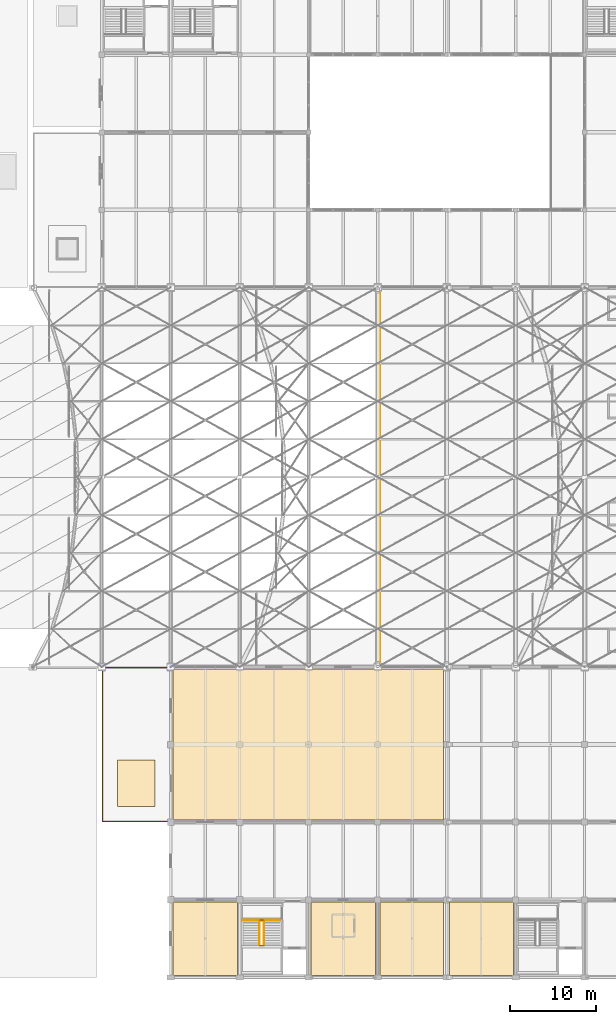
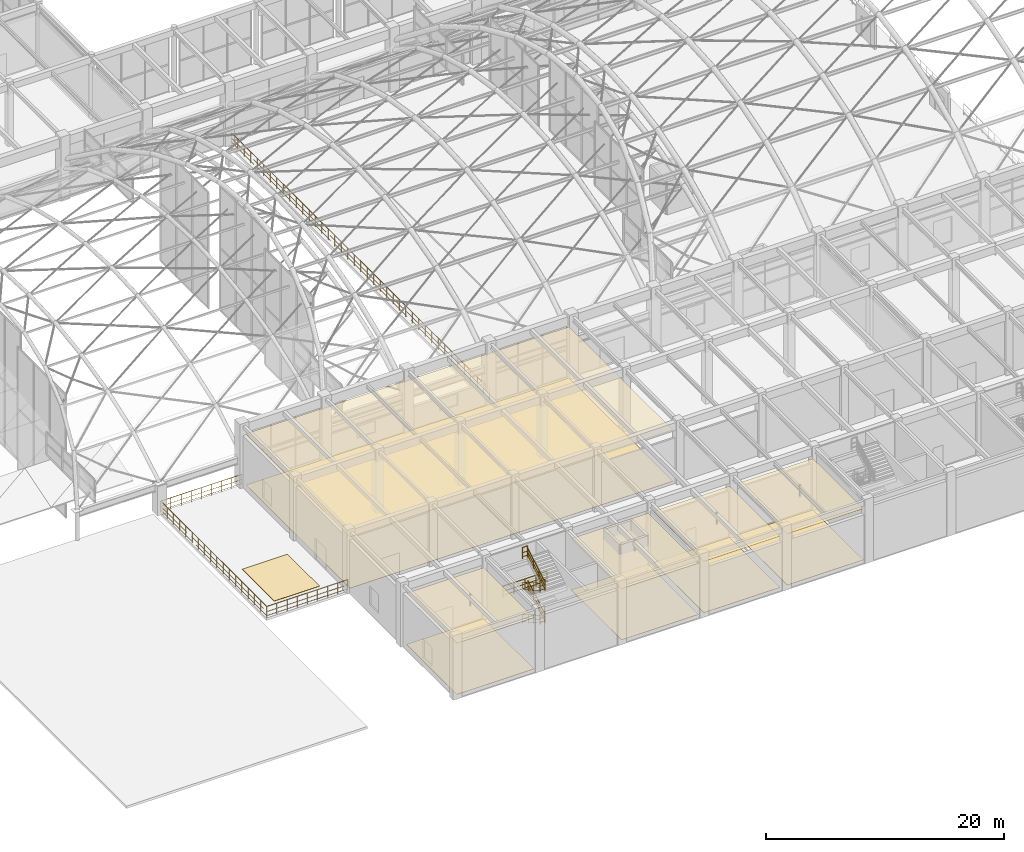
# One storey, part 156 of 163: 11 coverings, 10 railings.
"""IFC4 building model written with IfcOpenShell, lengths in metres."""

from ifc_helpers import new_model, si_unit, direction, frame, origin, origin_2d, place, context, subcontext, project, spatial, polyline, circle, outline, extrude, material, layer, layer_set, type_object, element, save


model = new_model("IFC4")

# Units and contexts
model_context = context("Model", 3, precision=1e-05, world=origin(), true_north=direction((0.0, 1.0)))
body_context = subcontext(model_context, "Body", "Model", "MODEL_VIEW")
ifc_project = project(units=[si_unit("LENGTHUNIT", "METRE"), si_unit("AREAUNIT", "SQUARE_METRE"), si_unit("VOLUMEUNIT", "CUBIC_METRE"), si_unit("PLANEANGLEUNIT", "RADIAN"), si_unit("MASSUNIT", "GRAM", prefix="KILO")], contexts=[model_context])

# Site, building, storey
site_placement = place(None, origin())
site = spatial("IfcSite", under=ifc_project, at=site_placement, CompositionType="ELEMENT")
building_placement = place(site_placement, origin())
building = spatial("IfcBuilding", under=site, at=building_placement, Name="Varnabhumi Central Station", CompositionType="ELEMENT")
storey_placement = place(building_placement, frame((0.0, 0.0, 9.60009765625)))
storey = spatial("IfcBuildingStorey", under=building, at=storey_placement, Name="L02", CompositionType="ELEMENT", Elevation=9.60009765625)

# Coverings
ifc_material_1 = material(Name="Mineral-fibre acoustic tile")
ifc_layer_1 = layer(ifc_material_1, 0.02490234375, Name="Mineral-fibre acoustic tile")
ifc_layer_set_1 = layer_set([ifc_layer_1], Name="Mineral-fibre acoustic tile")
covering_type_1 = type_object("IfcCoveringType", Name="COV-CEIL-ACOUSTIC", PredefinedType="CEILING", material=ifc_layer_set_1)
covering_1_placement = place(storey_placement, frame((0.0, 0.0, 5.27001953125)))
element("IfcCovering", 1, at=covering_1_placement, inside=storey, type_object=covering_type_1, Name="South General Waiting Hall Acoustic Ceiling", PredefinedType="CEILING", context=body_context, shape_type="SweptSolid", body=[
    extrude(outline(polyline([(32.25, 18.25), (63.64990234375, 18.25), (63.64990234375, 35.75), (32.25, 35.75), (32.25, 18.25)])), origin(), (0.0, 0.0, 1.0), 0.02490234375),
])
covering_2_placement = place(storey_placement, frame((0.0, 0.0, 5.27001953125)))
element("IfcCovering", 2, at=covering_2_placement, inside=storey, type_object=covering_type_1, Name="Intercity Express Waiting Lounge Acoustic Ceiling", PredefinedType="CEILING", context=body_context, shape_type="SweptSolid", body=[
    extrude(outline(polyline([(32.25, 0.25), (39.75, 0.25), (39.75, 8.75), (32.25, 8.75), (32.25, 0.25)])), origin(), (0.0, 0.0, 1.0), 0.02490234375),
])
covering_3_placement = place(storey_placement, frame((0.0, 0.0, 5.27001953125)))
element("IfcCovering", 3, at=covering_3_placement, inside=storey, type_object=covering_type_1, Name="Passenger Assistance Control Office Acoustic Ceiling", PredefinedType="CEILING", context=body_context, shape_type="SweptSolid", body=[
    extrude(outline(polyline([(48.25, 0.25), (55.75, 0.25), (55.75, 8.75), (48.25, 8.75), (48.25, 0.25)])), origin(), (0.0, 0.0, 1.0), 0.02490234375),
])
covering_4_placement = place(storey_placement, frame((0.0, 0.0, 5.27001953125)))
element("IfcCovering", 4, at=covering_4_placement, inside=storey, type_object=covering_type_1, Name="Rail Reservation Counter Office Acoustic Ceiling", PredefinedType="CEILING", context=body_context, shape_type="SweptSolid", body=[
    extrude(outline(polyline([(56.25, 0.25), (63.64990234375, 0.25), (63.64990234375, 8.75), (56.25, 8.75), (56.25, 0.25)])), origin(), (0.0, 0.0, 1.0), 0.02490234375),
])
covering_5_placement = place(storey_placement, frame((0.0, 0.0, 5.27001953125)))
element("IfcCovering", 5, at=covering_5_placement, inside=storey, type_object=covering_type_1, Name="Rail Reservation Counter Office Acoustic Ceiling", PredefinedType="CEILING", context=body_context, shape_type="SweptSolid", body=[
    extrude(outline(polyline([(64.35009765625, 0.25), (71.75, 0.25), (71.75, 8.75), (64.35009765625, 8.75), (64.35009765625, 0.25)])), origin(), (0.0, 0.0, 1.0), 0.02490234375),
])
ifc_material_2 = material(Name="Vitrified granite stone flooring", Category="masonry")
ifc_layer_2 = layer(ifc_material_2, 0.030029296875, Name="Vitrified granite stone flooring", Category="masonry")
ifc_layer_set_2 = layer_set([ifc_layer_2], Name="Vitrified granite stone flooring")
covering_type_2 = type_object("IfcCoveringType", Name="COV-FLOR-GRANITE", PredefinedType="FLOORING", material=ifc_layer_set_2)
covering_6_placement = place(storey_placement, origin())
element("IfcCovering", 6, at=covering_6_placement, inside=storey, type_object=covering_type_2, Name="South General Waiting Hall Granite Flooring", PredefinedType="FLOORING", context=body_context, shape_type="SweptSolid", body=[
    extrude(outline(polyline([(32.25, 18.25), (63.64990234375, 18.25), (63.64990234375, 35.75), (32.25, 35.75), (32.25, 18.25)])), origin(), (0.0, 0.0, 1.0), 0.02978515625),
])
covering_7_placement = place(storey_placement, origin())
element("IfcCovering", 7, at=covering_7_placement, inside=storey, type_object=covering_type_2, Name="Intercity Express Waiting Lounge Granite Flooring", PredefinedType="FLOORING", context=body_context, shape_type="SweptSolid", body=[
    extrude(outline(polyline([(32.25, 0.25), (39.75, 0.25), (39.75, 8.75), (32.25, 8.75), (32.25, 0.25)])), origin(), (0.0, 0.0, 1.0), 0.02978515625),
])
covering_8_placement = place(storey_placement, origin())
element("IfcCovering", 8, at=covering_8_placement, inside=storey, type_object=covering_type_2, Name="Passenger Assistance Control Office Granite Flooring", PredefinedType="FLOORING", context=body_context, shape_type="SweptSolid", body=[
    extrude(outline(polyline([(48.25, 0.25), (55.75, 0.25), (55.75, 8.75), (48.25, 8.75), (48.25, 0.25)])), origin(), (0.0, 0.0, 1.0), 0.02978515625),
])
covering_9_placement = place(storey_placement, origin())
element("IfcCovering", 9, at=covering_9_placement, inside=storey, type_object=covering_type_2, Name="Rail Reservation Counter Office Granite Flooring", PredefinedType="FLOORING", context=body_context, shape_type="SweptSolid", body=[
    extrude(outline(polyline([(56.25, 0.25), (63.64990234375, 0.25), (63.64990234375, 8.75), (56.25, 8.75), (56.25, 0.25)])), origin(), (0.0, 0.0, 1.0), 0.02978515625),
])
covering_10_placement = place(storey_placement, origin())
element("IfcCovering", 10, at=covering_10_placement, inside=storey, type_object=covering_type_2, Name="Rail Reservation Counter Office Granite Flooring", PredefinedType="FLOORING", context=body_context, shape_type="SweptSolid", body=[
    extrude(outline(polyline([(64.35009765625, 0.25), (71.75, 0.25), (71.75, 8.75), (64.35009765625, 8.75), (64.35009765625, 0.25)])), origin(), (0.0, 0.0, 1.0), 0.02978515625),
])
ifc_material_3 = material(Name="Modified bitumen waterproofing membrane")
ifc_layer_3 = layer(ifc_material_3, 0.034912109375, Name="Modified bitumen waterproofing membrane")
ifc_layer_set_3 = layer_set([ifc_layer_3], Name="Modified bitumen waterproofing membrane")
covering_type_3 = type_object("IfcCoveringType", Name="COV-ROOF-MEMBRANE", PredefinedType="ROOFING", material=ifc_layer_set_3)
covering_11_placement = place(storey_placement, origin())
element("IfcCovering", 11, at=covering_11_placement, inside=storey, type_object=covering_type_3, Name="Azotea Waterproofing Paver Layer 3", PredefinedType="ROOFING", context=body_context, shape_type="SweptSolid", body=[
    extrude(outline(polyline([(25.800048828125, 19.800048828125), (30.199951171875, 19.800048828125), (30.199951171875, 25.199951171875), (25.800048828125, 25.199951171875), (25.800048828125, 19.800048828125)])), origin(), (0.0, 0.0, 1.0), 0.034912109375),
])

# Railings
ifc_material_4 = material(Name="Stainless steel Grade 316", Category="steel")
railing_type_1 = type_object("IfcRailingType", Name="RAIL-BALUST-1150", PredefinedType="BALUSTRADE", material=ifc_material_4)
railing_1_placement = place(storey_placement, frame((31.949951171875, 35.919921875, 0.0)))
element("IfcRailing", 12, at=railing_1_placement, inside=storey, type_object=railing_type_1, Name="Azotea Perimeter Balustrade L02-3", PredefinedType="BALUSTRADE", context=body_context, shape_type="SweptSolid", body=[
    extrude(circle(Radius=0.02392578125, at=origin_2d()), frame((0.0, 0.0, 1.1259765625), z_axis=(-1.0, 0.0, 0.0), x_axis=(0.0, -1.0, 0.0)), (0.0, 0.0, 1.0), 7.869873046875),
    extrude(circle(Radius=0.01416015625, at=origin_2d()), frame((0.0, 0.0, 0.597900390625), z_axis=(-1.0, 0.0, 0.0), x_axis=(0.0, -1.0, 0.0)), (0.0, 0.0, 1.0), 7.869873046875),
    extrude(circle(Radius=0.01416015625, at=origin_2d()), frame((0.0, 0.0, 0.18408203125), z_axis=(-1.0, 0.0, 0.0), x_axis=(0.0, -1.0, 0.0)), (0.0, 0.0, 1.0), 7.869873046875),
    extrude(circle(Radius=0.02392578125, at=origin_2d()), frame((-7.869873046875, 0.0, 1.1259765625), z_axis=(0.0, -1.0, 0.0), x_axis=(1.0, 0.0, 0.0)), (0.0, 0.0, 1.0), 17.83984375),
    extrude(circle(Radius=0.01416015625, at=origin_2d()), frame((-7.869873046875, 0.0, 0.597900390625), z_axis=(0.0, -1.0, 0.0), x_axis=(1.0, 0.0, 0.0)), (0.0, 0.0, 1.0), 17.83984375),
    extrude(circle(Radius=0.01416015625, at=origin_2d()), frame((-7.869873046875, 0.0, 0.18408203125), z_axis=(0.0, -1.0, 0.0), x_axis=(1.0, 0.0, 0.0)), (0.0, 0.0, 1.0), 17.83984375),
    extrude(circle(Radius=0.02392578125, at=origin_2d()), frame((-7.869873046875, -17.83984375, 1.1259765625), z_axis=(1.0, 0.0, 0.0), x_axis=(0.0, 1.0, 0.0)), (0.0, 0.0, 1.0), 7.869873046875),
    extrude(circle(Radius=0.01416015625, at=origin_2d()), frame((-7.869873046875, -17.83984375, 0.597900390625), z_axis=(1.0, 0.0, 0.0), x_axis=(0.0, 1.0, 0.0)), (0.0, 0.0, 1.0), 7.869873046875),
    extrude(circle(Radius=0.01416015625, at=origin_2d()), frame((-7.869873046875, -17.83984375, 0.18408203125), z_axis=(1.0, 0.0, 0.0), x_axis=(0.0, 1.0, 0.0)), (0.0, 0.0, 1.0), 7.869873046875),
    extrude(circle(Radius=0.02099609375, at=origin_2d()), origin(), (0.0, 0.0, 1.0), 1.101806640625),
    extrude(circle(Radius=0.02099609375, at=origin_2d()), frame((-0.983642578125, 0.0, 0.0)), (0.0, 0.0, 1.0), 1.101806640625),
    extrude(circle(Radius=0.02099609375, at=origin_2d()), frame((-1.967529296875, 0.0, 0.0)), (0.0, 0.0, 1.0), 1.101806640625),
    extrude(circle(Radius=0.02099609375, at=origin_2d()), frame((-2.951171875, 0.0, 0.0)), (0.0, 0.0, 1.0), 1.101806640625),
    extrude(circle(Radius=0.02099609375, at=origin_2d()), frame((-3.93505859375, 0.0, 0.0)), (0.0, 0.0, 1.0), 1.101806640625),
    extrude(circle(Radius=0.02099609375, at=origin_2d()), frame((-4.918701171875, 0.0, 0.0)), (0.0, 0.0, 1.0), 1.101806640625),
    extrude(circle(Radius=0.02099609375, at=origin_2d()), frame((-5.90234375, 0.0, 0.0)), (0.0, 0.0, 1.0), 1.101806640625),
    extrude(circle(Radius=0.02099609375, at=origin_2d()), frame((-6.88623046875, 0.0, 0.0)), (0.0, 0.0, 1.0), 1.101806640625),
    extrude(circle(Radius=0.02099609375, at=origin_2d()), frame((-7.869873046875, 0.0, 0.0)), (0.0, 0.0, 1.0), 1.101806640625),
    extrude(circle(Radius=0.02099609375, at=origin_2d()), frame((-7.869873046875, -1.04931640625, 0.0)), (0.0, 0.0, 1.0), 1.101806640625),
    extrude(circle(Radius=0.02099609375, at=origin_2d()), frame((-7.869873046875, -2.098876953125, 0.0)), (0.0, 0.0, 1.0), 1.101806640625),
    extrude(circle(Radius=0.02099609375, at=origin_2d()), frame((-7.869873046875, -3.148193359375, 0.0)), (0.0, 0.0, 1.0), 1.101806640625),
    extrude(circle(Radius=0.02099609375, at=origin_2d()), frame((-7.869873046875, -4.197509765625, 0.0)), (0.0, 0.0, 1.0), 1.101806640625),
    extrude(circle(Radius=0.02099609375, at=origin_2d()), frame((-7.869873046875, -5.2470703125, 0.0)), (0.0, 0.0, 1.0), 1.101806640625),
    extrude(circle(Radius=0.02099609375, at=origin_2d()), frame((-7.869873046875, -6.29638671875, 0.0)), (0.0, 0.0, 1.0), 1.101806640625),
    extrude(circle(Radius=0.02099609375, at=origin_2d()), frame((-7.869873046875, -7.345703125, 0.0)), (0.0, 0.0, 1.0), 1.101806640625),
    extrude(circle(Radius=0.02099609375, at=origin_2d()), frame((-7.869873046875, -8.395263671875, 0.0)), (0.0, 0.0, 1.0), 1.101806640625),
    extrude(circle(Radius=0.02099609375, at=origin_2d()), frame((-7.869873046875, -9.444580078125, 0.0)), (0.0, 0.0, 1.0), 1.101806640625),
    extrude(circle(Radius=0.02099609375, at=origin_2d()), frame((-7.869873046875, -10.494140625, 0.0)), (0.0, 0.0, 1.0), 1.101806640625),
    extrude(circle(Radius=0.02099609375, at=origin_2d()), frame((-7.869873046875, -11.54345703125, 0.0)), (0.0, 0.0, 1.0), 1.101806640625),
    extrude(circle(Radius=0.02099609375, at=origin_2d()), frame((-7.869873046875, -12.5927734375, 0.0)), (0.0, 0.0, 1.0), 1.101806640625),
    extrude(circle(Radius=0.02099609375, at=origin_2d()), frame((-7.869873046875, -13.642333984375, 0.0)), (0.0, 0.0, 1.0), 1.101806640625),
    extrude(circle(Radius=0.02099609375, at=origin_2d()), frame((-7.869873046875, -14.691650390625, 0.0)), (0.0, 0.0, 1.0), 1.101806640625),
    extrude(circle(Radius=0.02099609375, at=origin_2d()), frame((-7.869873046875, -15.740966796875, 0.0)), (0.0, 0.0, 1.0), 1.101806640625),
    extrude(circle(Radius=0.02099609375, at=origin_2d()), frame((-7.869873046875, -16.79052734375, 0.0)), (0.0, 0.0, 1.0), 1.101806640625),
    extrude(circle(Radius=0.02099609375, at=origin_2d()), frame((-7.869873046875, -17.83984375, 0.0)), (0.0, 0.0, 1.0), 1.101806640625),
    extrude(circle(Radius=0.02099609375, at=origin_2d()), frame((-6.88623046875, -17.83984375, 0.0)), (0.0, 0.0, 1.0), 1.101806640625),
    extrude(circle(Radius=0.02099609375, at=origin_2d()), frame((-5.90234375, -17.83984375, 0.0)), (0.0, 0.0, 1.0), 1.101806640625),
    extrude(circle(Radius=0.02099609375, at=origin_2d()), frame((-4.918701171875, -17.83984375, 0.0)), (0.0, 0.0, 1.0), 1.101806640625),
    extrude(circle(Radius=0.02099609375, at=origin_2d()), frame((-3.93505859375, -17.83984375, 0.0)), (0.0, 0.0, 1.0), 1.101806640625),
    extrude(circle(Radius=0.02099609375, at=origin_2d()), frame((-2.951171875, -17.83984375, 0.0)), (0.0, 0.0, 1.0), 1.101806640625),
    extrude(circle(Radius=0.02099609375, at=origin_2d()), frame((-1.967529296875, -17.83984375, 0.0)), (0.0, 0.0, 1.0), 1.101806640625),
    extrude(circle(Radius=0.02099609375, at=origin_2d()), frame((-0.983642578125, -17.83984375, 0.0)), (0.0, 0.0, 1.0), 1.101806640625),
    extrude(circle(Radius=0.02099609375, at=origin_2d()), frame((0.0, -17.83984375, 0.0)), (0.0, 0.0, 1.0), 1.101806640625),
])
railing_type_2 = type_object("IfcRailingType", Name="RAIL-GUARD-1150", PredefinedType="GUARDRAIL", material=ifc_material_4)
railing_2_placement = place(storey_placement, frame((56.25, 36.25, 0.0)))
element("IfcRailing", 13, at=railing_2_placement, inside=storey, type_object=railing_type_2, Name="L02 Concourse Ticket-Hall Overlook Guard", PredefinedType="GUARDRAIL", context=body_context, shape_type="SweptSolid", body=[
    extrude(circle(Radius=0.02392578125, at=origin_2d()), frame((0.0, 0.0, 1.1259765625), z_axis=(0.0, 1.0, 0.0), x_axis=(-1.0, 0.0, 0.0)), (0.0, 0.0, 1.0), 43.5),
    extrude(circle(Radius=0.01416015625, at=origin_2d()), frame((0.0, 0.0, 0.597900390625), z_axis=(0.0, 1.0, 0.0), x_axis=(-1.0, 0.0, 0.0)), (0.0, 0.0, 1.0), 43.5),
    extrude(circle(Radius=0.01416015625, at=origin_2d()), frame((0.0, 0.0, 0.18408203125), z_axis=(0.0, 1.0, 0.0), x_axis=(-1.0, 0.0, 0.0)), (0.0, 0.0, 1.0), 43.5),
    extrude(circle(Radius=0.02099609375, at=origin_2d()), origin(), (0.0, 0.0, 1.0), 1.101806640625),
    extrude(circle(Radius=0.02099609375, at=origin_2d()), frame((0.0, 1.08740234375, 0.0)), (0.0, 0.0, 1.0), 1.101806640625),
    extrude(circle(Radius=0.02099609375, at=origin_2d()), frame((0.0, 2.175048828125, 0.0)), (0.0, 0.0, 1.0), 1.101806640625),
    extrude(circle(Radius=0.02099609375, at=origin_2d()), frame((0.0, 3.262451171875, 0.0)), (0.0, 0.0, 1.0), 1.101806640625),
    extrude(circle(Radius=0.02099609375, at=origin_2d()), frame((0.0, 4.35009765625, 0.0)), (0.0, 0.0, 1.0), 1.101806640625),
    extrude(circle(Radius=0.02099609375, at=origin_2d()), frame((0.0, 5.4375, 0.0)), (0.0, 0.0, 1.0), 1.101806640625),
    extrude(circle(Radius=0.02099609375, at=origin_2d()), frame((0.0, 6.52490234375, 0.0)), (0.0, 0.0, 1.0), 1.101806640625),
    extrude(circle(Radius=0.02099609375, at=origin_2d()), frame((0.0, 7.612548828125, 0.0)), (0.0, 0.0, 1.0), 1.101806640625),
    extrude(circle(Radius=0.02099609375, at=origin_2d()), frame((0.0, 8.699951171875, 0.0)), (0.0, 0.0, 1.0), 1.101806640625),
    extrude(circle(Radius=0.02099609375, at=origin_2d()), frame((0.0, 9.78759765625, 0.0)), (0.0, 0.0, 1.0), 1.101806640625),
    extrude(circle(Radius=0.02099609375, at=origin_2d()), frame((0.0, 10.875, 0.0)), (0.0, 0.0, 1.0), 1.101806640625),
    extrude(circle(Radius=0.02099609375, at=origin_2d()), frame((0.0, 11.96240234375, 0.0)), (0.0, 0.0, 1.0), 1.101806640625),
    extrude(circle(Radius=0.02099609375, at=origin_2d()), frame((0.0, 13.050048828125, 0.0)), (0.0, 0.0, 1.0), 1.101806640625),
    extrude(circle(Radius=0.02099609375, at=origin_2d()), frame((0.0, 14.137451171875, 0.0)), (0.0, 0.0, 1.0), 1.101806640625),
    extrude(circle(Radius=0.02099609375, at=origin_2d()), frame((0.0, 15.22509765625, 0.0)), (0.0, 0.0, 1.0), 1.101806640625),
    extrude(circle(Radius=0.02099609375, at=origin_2d()), frame((0.0, 16.3125, 0.0)), (0.0, 0.0, 1.0), 1.101806640625),
    extrude(circle(Radius=0.02099609375, at=origin_2d()), frame((0.0, 17.39990234375, 0.0)), (0.0, 0.0, 1.0), 1.101806640625),
    extrude(circle(Radius=0.02099609375, at=origin_2d()), frame((0.0, 18.487548828125, 0.0)), (0.0, 0.0, 1.0), 1.101806640625),
    extrude(circle(Radius=0.02099609375, at=origin_2d()), frame((0.0, 19.574951171875, 0.0)), (0.0, 0.0, 1.0), 1.101806640625),
    extrude(circle(Radius=0.02099609375, at=origin_2d()), frame((0.0, 20.66259765625, 0.0)), (0.0, 0.0, 1.0), 1.101806640625),
    extrude(circle(Radius=0.02099609375, at=origin_2d()), frame((0.0, 21.75, 0.0)), (0.0, 0.0, 1.0), 1.101806640625),
    extrude(circle(Radius=0.02099609375, at=origin_2d()), frame((0.0, 22.83740234375, 0.0)), (0.0, 0.0, 1.0), 1.101806640625),
    extrude(circle(Radius=0.02099609375, at=origin_2d()), frame((0.0, 23.925048828125, 0.0)), (0.0, 0.0, 1.0), 1.101806640625),
    extrude(circle(Radius=0.02099609375, at=origin_2d()), frame((0.0, 25.012451171875, 0.0)), (0.0, 0.0, 1.0), 1.101806640625),
    extrude(circle(Radius=0.02099609375, at=origin_2d()), frame((0.0, 26.10009765625, 0.0)), (0.0, 0.0, 1.0), 1.101806640625),
    extrude(circle(Radius=0.02099609375, at=origin_2d()), frame((0.0, 27.1875, 0.0)), (0.0, 0.0, 1.0), 1.101806640625),
    extrude(circle(Radius=0.02099609375, at=origin_2d()), frame((0.0, 28.27490234375, 0.0)), (0.0, 0.0, 1.0), 1.101806640625),
    extrude(circle(Radius=0.02099609375, at=origin_2d()), frame((0.0, 29.362548828125, 0.0)), (0.0, 0.0, 1.0), 1.101806640625),
    extrude(circle(Radius=0.02099609375, at=origin_2d()), frame((0.0, 30.449951171875, 0.0)), (0.0, 0.0, 1.0), 1.101806640625),
    extrude(circle(Radius=0.02099609375, at=origin_2d()), frame((0.0, 31.53759765625, 0.0)), (0.0, 0.0, 1.0), 1.101806640625),
    extrude(circle(Radius=0.02099609375, at=origin_2d()), frame((0.0, 32.625, 0.0)), (0.0, 0.0, 1.0), 1.101806640625),
    extrude(circle(Radius=0.02099609375, at=origin_2d()), frame((0.0, 33.71240234375, 0.0)), (0.0, 0.0, 1.0), 1.101806640625),
    extrude(circle(Radius=0.02099609375, at=origin_2d()), frame((0.0, 34.800048828125, 0.0)), (0.0, 0.0, 1.0), 1.101806640625),
    extrude(circle(Radius=0.02099609375, at=origin_2d()), frame((0.0, 35.887451171875, 0.0)), (0.0, 0.0, 1.0), 1.101806640625),
    extrude(circle(Radius=0.02099609375, at=origin_2d()), frame((0.0, 36.97509765625, 0.0)), (0.0, 0.0, 1.0), 1.101806640625),
    extrude(circle(Radius=0.02099609375, at=origin_2d()), frame((0.0, 38.0625, 0.0)), (0.0, 0.0, 1.0), 1.101806640625),
    extrude(circle(Radius=0.02099609375, at=origin_2d()), frame((0.0, 39.14990234375, 0.0)), (0.0, 0.0, 1.0), 1.101806640625),
    extrude(circle(Radius=0.02099609375, at=origin_2d()), frame((0.0, 40.237548828125, 0.0)), (0.0, 0.0, 1.0), 1.101806640625),
    extrude(circle(Radius=0.02099609375, at=origin_2d()), frame((0.0, 41.324951171875, 0.0)), (0.0, 0.0, 1.0), 1.101806640625),
    extrude(circle(Radius=0.02099609375, at=origin_2d()), frame((0.0, 42.41259765625, 0.0)), (0.0, 0.0, 1.0), 1.101806640625),
    extrude(circle(Radius=0.02099609375, at=origin_2d()), frame((0.0, 43.5, 0.0)), (0.0, 0.0, 1.0), 1.101806640625),
])
railing_type_3 = type_object("IfcRailingType", Name="RAIL-STAIR-GRD-1150", PredefinedType="GUARDRAIL", material=ifc_material_4)
railing_3_placement = place(storey_placement, frame((42.300048828125, 3.669921875, 1.64990234375)))
element("IfcRailing", 14, at=railing_3_placement, inside=storey, type_object=railing_type_3, Name="ST-S1 L02 Landing Guard 1", PredefinedType="GUARDRAIL", context=body_context, shape_type="SweptSolid", body=[
    extrude(circle(Radius=0.02392578125, at=origin_2d()), frame((0.0, 0.0, 1.1259765625), z_axis=(1.0, 0.0, 0.0), x_axis=(0.0, 1.0, 0.0)), (0.0, 0.0, 1.0), 0.5),
    extrude(circle(Radius=0.01416015625, at=origin_2d()), frame((0.0, 0.0, 0.597900390625), z_axis=(1.0, 0.0, 0.0), x_axis=(0.0, 1.0, 0.0)), (0.0, 0.0, 1.0), 0.5),
    extrude(circle(Radius=0.01416015625, at=origin_2d()), frame((0.0, 0.0, 0.18408203125), z_axis=(1.0, 0.0, 0.0), x_axis=(0.0, 1.0, 0.0)), (0.0, 0.0, 1.0), 0.5),
    extrude(circle(Radius=0.02099609375, at=origin_2d()), origin(), (0.0, 0.0, 1.0), 1.101806640625),
    extrude(circle(Radius=0.02099609375, at=origin_2d()), frame((0.5, 0.0, 0.0)), (0.0, 0.0, 1.0), 1.101806640625),
])
railing_4_placement = place(storey_placement, frame((40.39990234375, 6.639892578125, 3.2998046875)))
element("IfcRailing", 15, at=railing_4_placement, inside=storey, type_object=railing_type_3, Name="ST-S1 L02 Landing Guard 2", PredefinedType="GUARDRAIL", context=body_context, shape_type="SweptSolid", body=[
    extrude(circle(Radius=0.02392578125, at=origin_2d()), frame((0.0, 0.0, 1.1259765625), z_axis=(1.0, 0.0, 0.0), x_axis=(0.0, 1.0, 0.0)), (0.0, 0.0, 1.0), 4.300048828125),
    extrude(circle(Radius=0.01416015625, at=origin_2d()), frame((0.0, 0.0, 0.597900390625), z_axis=(1.0, 0.0, 0.0), x_axis=(0.0, 1.0, 0.0)), (0.0, 0.0, 1.0), 4.300048828125),
    extrude(circle(Radius=0.01416015625, at=origin_2d()), frame((0.0, 0.0, 0.18408203125), z_axis=(1.0, 0.0, 0.0), x_axis=(0.0, 1.0, 0.0)), (0.0, 0.0, 1.0), 4.300048828125),
    extrude(circle(Radius=0.02099609375, at=origin_2d()), origin(), (0.0, 0.0, 1.0), 1.101806640625),
    extrude(circle(Radius=0.02099609375, at=origin_2d()), frame((1.074951171875, 0.0, 0.0)), (0.0, 0.0, 1.0), 1.101806640625),
    extrude(circle(Radius=0.02099609375, at=origin_2d()), frame((2.14990234375, 0.0, 0.0)), (0.0, 0.0, 1.0), 1.101806640625),
    extrude(circle(Radius=0.02099609375, at=origin_2d()), frame((3.22509765625, 0.0, 0.0)), (0.0, 0.0, 1.0), 1.101806640625),
    extrude(circle(Radius=0.02099609375, at=origin_2d()), frame((4.300048828125, 0.0, 0.0)), (0.0, 0.0, 1.0), 1.101806640625),
])
for number, where, name in (
    (16, (42.300048828125, 3.669921875, 4.949951171875), "ST-S1 L02 Landing Guard 3"),
    (17, (42.300048828125, 6.639892578125, 6.599853515625), "ST-S1 L02 Arrival Slot Guard"),
):
    element("IfcRailing", number, at=place(storey_placement, frame(where)), inside=storey, type_object=railing_type_3, Name=name, PredefinedType="GUARDRAIL", context=body_context, shape_type="SweptSolid", body=[
        extrude(circle(Radius=0.02392578125, at=origin_2d()), frame((0.0, 0.0, 1.1259765625), z_axis=(1.0, 0.0, 0.0), x_axis=(0.0, 1.0, 0.0)), (0.0, 0.0, 1.0), 0.5),
        extrude(circle(Radius=0.01416015625, at=origin_2d()), frame((0.0, 0.0, 0.597900390625), z_axis=(1.0, 0.0, 0.0), x_axis=(0.0, 1.0, 0.0)), (0.0, 0.0, 1.0), 0.5),
        extrude(circle(Radius=0.01416015625, at=origin_2d()), frame((0.0, 0.0, 0.18408203125), z_axis=(1.0, 0.0, 0.0), x_axis=(0.0, 1.0, 0.0)), (0.0, 0.0, 1.0), 0.5),
        extrude(circle(Radius=0.02099609375, at=origin_2d()), origin(), (0.0, 0.0, 1.0), 1.101806640625),
        extrude(circle(Radius=0.02099609375, at=origin_2d()), frame((0.5, 0.0, 0.0)), (0.0, 0.0, 1.0), 1.101806640625),
    ])
railing_type_4 = type_object("IfcRailingType", Name="RAIL-STAIR-HR-920", PredefinedType="HANDRAIL", material=ifc_material_4)
railing_5_placement = place(storey_placement, frame((42.300048828125, 6.580078125, 0.0)))
element("IfcRailing", 18, at=railing_5_placement, inside=storey, type_object=railing_type_4, Name="ST-S1 L02 Handrail 1", PredefinedType="HANDRAIL", context=body_context, shape_type="SweptSolid", body=[
    extrude(circle(Radius=0.02392578125, at=origin_2d()), frame((0.0, 0.0, 0.89599609375), z_axis=(0.0, -0.865446587175, 0.501001202341), x_axis=(1.0, 0.0, 0.0)), (0.0, 0.0, 1.0), 3.293212890625),
    extrude(circle(Radius=0.01416015625, at=origin_2d()), frame((0.0, 0.0, 0.478271484375), z_axis=(0.0, -0.865446587175, 0.501001202341), x_axis=(1.0, 0.0, 0.0)), (0.0, 0.0, 1.0), 3.293212890625),
    extrude(circle(Radius=0.01416015625, at=origin_2d()), frame((0.0, 0.0, 0.147216796875), z_axis=(0.0, -0.865446587175, 0.501001202341), x_axis=(1.0, 0.0, 0.0)), (0.0, 0.0, 1.0), 3.293212890625),
    extrude(circle(Radius=0.02099609375, at=origin_2d()), origin(), (0.0, 0.0, 1.0), 0.871826171875),
    extrude(circle(Radius=0.02099609375, at=origin_2d()), frame((0.0, -0.949951171875, 0.550048828125)), (0.0, 0.0, 1.0), 0.871826171875),
    extrude(circle(Radius=0.02099609375, at=origin_2d()), frame((0.0, -1.900146484375, 1.099853515625)), (0.0, 0.0, 1.0), 0.871826171875),
    extrude(circle(Radius=0.02099609375, at=origin_2d()), frame((0.0, -2.85009765625, 1.64990234375)), (0.0, 0.0, 1.0), 0.871826171875),
])
railing_6_placement = place(storey_placement, frame((42.800048828125, 3.72998046875, 1.64990234375)))
element("IfcRailing", 19, at=railing_6_placement, inside=storey, type_object=railing_type_4, Name="ST-S1 L02 Handrail 2", PredefinedType="HANDRAIL", context=body_context, shape_type="SweptSolid", body=[
    extrude(circle(Radius=0.02392578125, at=origin_2d()), frame((0.0, 0.0, 0.89599609375), z_axis=(0.0, 0.865446587175, 0.501001202341), x_axis=(-1.0, 0.0, 0.0)), (0.0, 0.0, 1.0), 3.293212890625),
    extrude(circle(Radius=0.01416015625, at=origin_2d()), frame((0.0, 0.0, 0.478271484375), z_axis=(0.0, 0.865446587175, 0.501001202341), x_axis=(-1.0, 0.0, 0.0)), (0.0, 0.0, 1.0), 3.293212890625),
    extrude(circle(Radius=0.01416015625, at=origin_2d()), frame((0.0, 0.0, 0.147216796875), z_axis=(0.0, 0.865446587175, 0.501001202341), x_axis=(-1.0, 0.0, 0.0)), (0.0, 0.0, 1.0), 3.293212890625),
    extrude(circle(Radius=0.02099609375, at=origin_2d()), origin(), (0.0, 0.0, 1.0), 0.871826171875),
    extrude(circle(Radius=0.02099609375, at=origin_2d()), frame((0.0, 0.949951171875, 0.550048828125)), (0.0, 0.0, 1.0), 0.871826171875),
    extrude(circle(Radius=0.02099609375, at=origin_2d()), frame((0.0, 1.900146484375, 1.099853515625)), (0.0, 0.0, 1.0), 0.871826171875),
    extrude(circle(Radius=0.02099609375, at=origin_2d()), frame((0.0, 2.85009765625, 1.64990234375)), (0.0, 0.0, 1.0), 0.871826171875),
])
railing_7_placement = place(storey_placement, frame((42.300048828125, 6.580078125, 3.2998046875)))
element("IfcRailing", 20, at=railing_7_placement, inside=storey, type_object=railing_type_4, Name="ST-S1 L02 Handrail 3", PredefinedType="HANDRAIL", context=body_context, shape_type="SweptSolid", body=[
    extrude(circle(Radius=0.02392578125, at=origin_2d()), frame((0.0, 0.0, 0.89599609375), z_axis=(0.0, -0.86541444261, 0.501056725852), x_axis=(1.0, 0.0, 0.0)), (0.0, 0.0, 1.0), 3.293212890625),
    extrude(circle(Radius=0.01416015625, at=origin_2d()), frame((0.0, 0.0, 0.478271484375), z_axis=(0.0, -0.86541444261, 0.501056725852), x_axis=(1.0, 0.0, 0.0)), (0.0, 0.0, 1.0), 3.293212890625),
    extrude(circle(Radius=0.01416015625, at=origin_2d()), frame((0.0, 0.0, 0.147216796875), z_axis=(0.0, -0.86541444261, 0.501056725852), x_axis=(1.0, 0.0, 0.0)), (0.0, 0.0, 1.0), 3.293212890625),
    extrude(circle(Radius=0.02099609375, at=origin_2d()), origin(), (0.0, 0.0, 1.0), 0.871826171875),
    extrude(circle(Radius=0.02099609375, at=origin_2d()), frame((0.0, -0.949951171875, 0.550048828125)), (0.0, 0.0, 1.0), 0.871826171875),
    extrude(circle(Radius=0.02099609375, at=origin_2d()), frame((0.0, -1.900146484375, 1.10009765625)), (0.0, 0.0, 1.0), 0.871826171875),
    extrude(circle(Radius=0.02099609375, at=origin_2d()), frame((0.0, -2.85009765625, 1.650146484375)), (0.0, 0.0, 1.0), 0.871826171875),
])
railing_8_placement = place(storey_placement, frame((42.800048828125, 3.72998046875, 4.949951171875)))
element("IfcRailing", 21, at=railing_8_placement, inside=storey, type_object=railing_type_4, Name="ST-S1 L02 Handrail 4", PredefinedType="HANDRAIL", context=body_context, shape_type="SweptSolid", body=[
    extrude(circle(Radius=0.02392578125, at=origin_2d()), frame((0.0, 0.0, 0.89599609375), z_axis=(0.0, 0.865446587175, 0.501001202341), x_axis=(-1.0, 0.0, 0.0)), (0.0, 0.0, 1.0), 3.293212890625),
    extrude(circle(Radius=0.01416015625, at=origin_2d()), frame((0.0, 0.0, 0.478271484375), z_axis=(0.0, 0.865446587175, 0.501001202341), x_axis=(-1.0, 0.0, 0.0)), (0.0, 0.0, 1.0), 3.293212890625),
    extrude(circle(Radius=0.01416015625, at=origin_2d()), frame((0.0, 0.0, 0.147216796875), z_axis=(0.0, 0.865446587175, 0.501001202341), x_axis=(-1.0, 0.0, 0.0)), (0.0, 0.0, 1.0), 3.293212890625),
    extrude(circle(Radius=0.02099609375, at=origin_2d()), origin(), (0.0, 0.0, 1.0), 0.871826171875),
    extrude(circle(Radius=0.02099609375, at=origin_2d()), frame((0.0, 0.949951171875, 0.550048828125)), (0.0, 0.0, 1.0), 0.871826171875),
    extrude(circle(Radius=0.02099609375, at=origin_2d()), frame((0.0, 1.900146484375, 1.099853515625)), (0.0, 0.0, 1.0), 0.871826171875),
    extrude(circle(Radius=0.02099609375, at=origin_2d()), frame((0.0, 2.85009765625, 1.64990234375)), (0.0, 0.0, 1.0), 0.871826171875),
])

save(model, "model.ifc")
